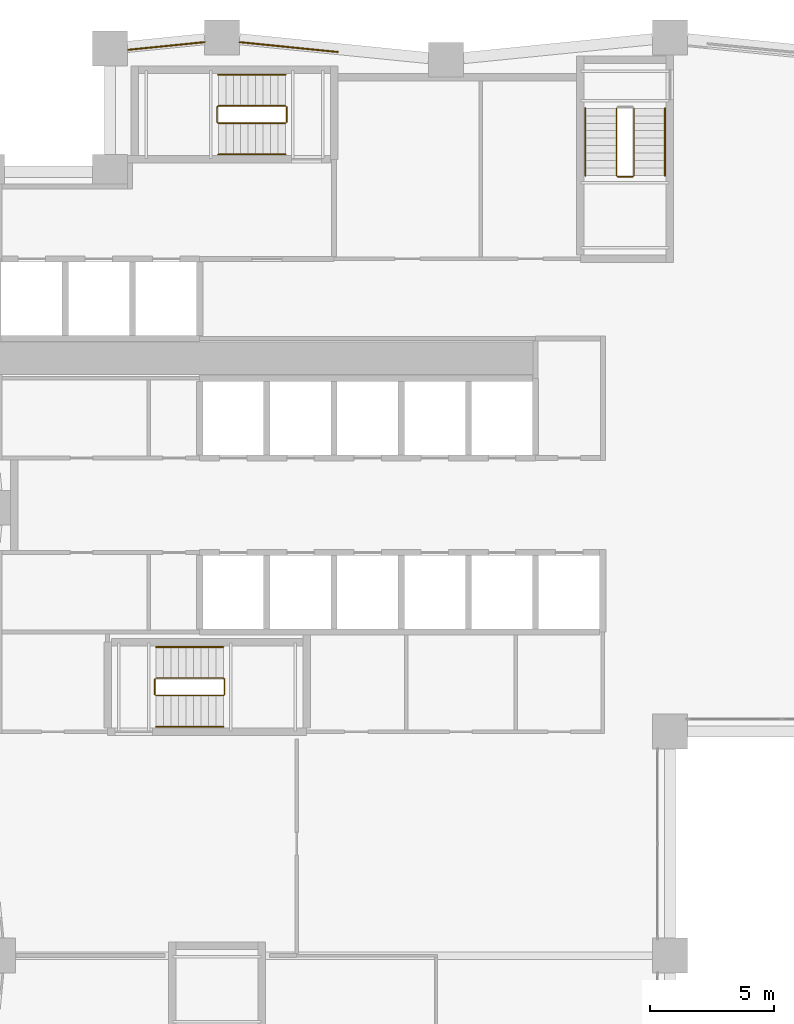
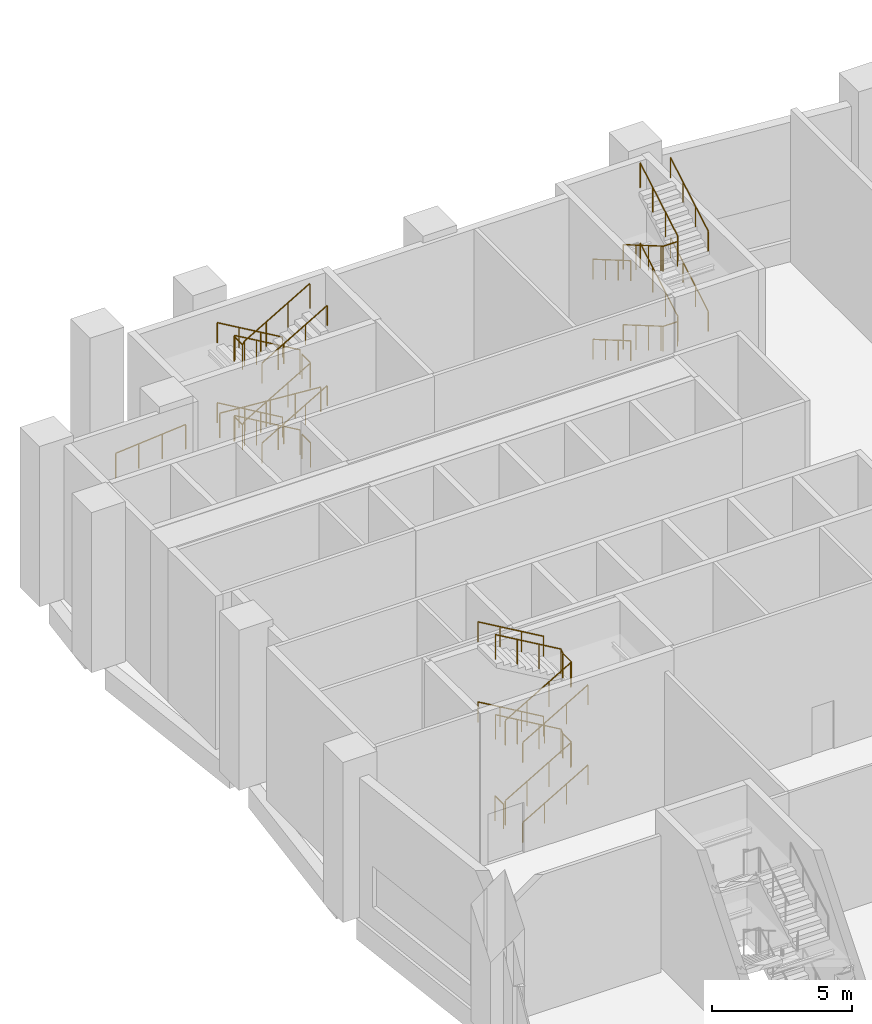
# One storey, part 17 of 18: 23 railings.
"""IFC4 building model written with IfcOpenShell, lengths in metres."""

from ifc_helpers import new_model, si_unit, direction, frame, origin, origin_2d, place, context, subcontext, project, spatial, circle, extrude, material, type_object, element, save


model = new_model("IFC4")

# Units and contexts
model_context = context("Model", 3, precision=1e-05, world=origin(), true_north=direction((0.0, 1.0)))
body_context = subcontext(model_context, "Body", "Model", "MODEL_VIEW")
ifc_project = project(units=[si_unit("LENGTHUNIT", "METRE"), si_unit("AREAUNIT", "SQUARE_METRE"), si_unit("VOLUMEUNIT", "CUBIC_METRE"), si_unit("PLANEANGLEUNIT", "RADIAN"), si_unit("MASSUNIT", "GRAM", prefix="KILO")], contexts=[model_context])

# Site, building, storey
site_placement = place(None, origin())
site = spatial("IfcSite", under=ifc_project, at=site_placement, CompositionType="ELEMENT")
building_placement = place(site_placement, origin())
building = spatial("IfcBuilding", under=site, at=building_placement, Name="Brondeck Convention Tower", CompositionType="ELEMENT")
storey_placement = place(building_placement, frame((0.0, 0.0, 7.5)))
storey = spatial("IfcBuildingStorey", under=building, at=storey_placement, Name="L01", CompositionType="ELEMENT", Elevation=7.5)

# Railings
ifc_material_1 = material(Name="Steel S355, bronze painted", Category="steel")
railing_type_1 = type_object("IfcRailingType", Name="Guard, bronze steel rail and posts", PredefinedType="GUARDRAIL", material=ifc_material_1)
railing_1_placement = place(storey_placement, frame((5.228515625, 63.402099609375, 0.0)))
element("IfcRailing", 1, at=railing_1_placement, inside=storey, type_object=railing_type_1, Name="ENV-RL-L01-REAR1", PredefinedType="GUARDRAIL", context=body_context, shape_type="SweptSolid", body=[
    extrude(circle(Radius=0.02490234375, at=origin_2d()), frame((0.0, 0.0, 1.0751953125), z_axis=(0.995030914205, 0.099566459095, 0.0), x_axis=(-0.099566459095, 0.995030914205, 0.0)), (0.0, 0.0, 1.0), 3.082275390625),
    extrude(circle(Radius=0.02490234375, at=origin_2d()), origin(), (0.0, 0.0, 1.0), 1.050048828125),
    extrude(circle(Radius=0.02490234375, at=origin_2d()), frame((1.022216796875, 0.102294921875, 0.0)), (0.0, 0.0, 1.0), 1.050048828125),
    extrude(circle(Radius=0.02490234375, at=origin_2d()), frame((2.044677734375, 0.20458984375, 0.0)), (0.0, 0.0, 1.0), 1.050048828125),
    extrude(circle(Radius=0.02490234375, at=origin_2d()), frame((3.06689453125, 0.306884765625, 0.0)), (0.0, 0.0, 1.0), 1.050048828125),
])
railing_2_placement = place(storey_placement, frame((9.70458984375, 63.708984375, 0.0)))
element("IfcRailing", 2, at=railing_2_placement, inside=storey, type_object=railing_type_1, Name="ENV-RL-L01-REAR2", PredefinedType="GUARDRAIL", context=body_context, shape_type="SweptSolid", body=[
    extrude(circle(Radius=0.02490234375, at=origin_2d()), frame((0.0, 0.0, 1.0751953125), z_axis=(0.99503719021, -0.099503719021, 0.0), x_axis=(0.099503719021, 0.99503719021, 0.0)), (0.0, 0.0, 1.0), 3.965087890625),
    extrude(circle(Radius=0.02490234375, at=origin_2d()), origin(), (0.0, 0.0, 1.0), 1.050048828125),
    extrude(circle(Radius=0.02490234375, at=origin_2d()), frame((0.986328125, -0.0986328125, 0.0)), (0.0, 0.0, 1.0), 1.050048828125),
    extrude(circle(Radius=0.02490234375, at=origin_2d()), frame((1.97265625, -0.197265625, 0.0)), (0.0, 0.0, 1.0), 1.050048828125),
    extrude(circle(Radius=0.02490234375, at=origin_2d()), frame((2.958984375, -0.2958984375, 0.0)), (0.0, 0.0, 1.0), 1.050048828125),
    extrude(circle(Radius=0.02490234375, at=origin_2d()), frame((3.9453125, -0.39453125, 0.0)), (0.0, 0.0, 1.0), 1.050048828125),
])
ifc_material_2 = material(Name="Steel S355", Category="steel")
railing_type_2 = type_object("IfcRailingType", Name="Stair guard 1100", PredefinedType="GUARDRAIL", material=ifc_material_2)
railing_3_placement = place(storey_placement, frame((6.35009765625, 37.449951171875, 0.175048828125)))
element("IfcRailing", 3, at=railing_3_placement, inside=storey, type_object=railing_type_2, Name="L01 ST-1 stair guard 1", PredefinedType="GUARDRAIL", context=body_context, shape_type="SweptSolid", body=[
    extrude(circle(Radius=0.02392578125, at=origin_2d()), frame((0.0, 0.0, 1.076171875), z_axis=(0.863781733769, 0.0, 0.503866169142), x_axis=(0.0, 1.0, 0.0)), (0.0, 0.0, 1.0), 3.125732421875),
    extrude(circle(Radius=0.02392578125, at=origin_2d()), frame((2.699951171875, 0.0, 2.65087890625), z_axis=(0.707106781187, 0.707106781187, 0.0), x_axis=(-0.707106781187, 0.707106781187, 0.0)), (0.0, 0.0, 1.0), 0.07080078125),
    extrude(circle(Radius=0.02392578125, at=origin_2d()), frame((2.75, 0.050048828125, 2.65087890625), z_axis=(0.0, 1.0, 0.0), x_axis=(-1.0, 0.0, 0.0)), (0.0, 0.0, 1.0), 0.60009765625),
    extrude(circle(Radius=0.02392578125, at=origin_2d()), frame((2.75, 0.650146484375, 2.65087890625), z_axis=(-0.265155923931, 0.263862480399, 0.927399011991), x_axis=(-0.705375805398, -0.708833529934, 0.0)), (0.0, 0.0, 1.0), 0.188720703125),
    extrude(circle(Radius=0.02392578125, at=origin_2d()), frame((2.699951171875, 0.699951171875, 2.826171875), z_axis=(-0.863781733769, 0.0, 0.503866169142), x_axis=(0.0, -1.0, 0.0)), (0.0, 0.0, 1.0), 3.125732421875),
    extrude(circle(Radius=0.02099609375, at=origin_2d()), origin(), (0.0, 0.0, 1.0), 1.052001953125),
    extrude(circle(Radius=0.02099609375, at=origin_2d()), frame((0.89990234375, 0.0, 0.52490234375)), (0.0, 0.0, 1.0), 1.052001953125),
    extrude(circle(Radius=0.02099609375, at=origin_2d()), frame((1.800048828125, 0.0, 1.050048828125)), (0.0, 0.0, 1.0), 1.052001953125),
    extrude(circle(Radius=0.02099609375, at=origin_2d()), frame((2.699951171875, 0.0, 1.574951171875)), (0.0, 0.0, 1.0), 1.052001953125),
    extrude(circle(Radius=0.02099609375, at=origin_2d()), frame((2.75, 0.050048828125, 1.574951171875)), (0.0, 0.0, 1.0), 1.052001953125),
    extrude(circle(Radius=0.02099609375, at=origin_2d()), frame((2.75, 0.650146484375, 1.574951171875)), (0.0, 0.0, 1.0), 1.052001953125),
    extrude(circle(Radius=0.02099609375, at=origin_2d()), frame((2.699951171875, 0.699951171875, 1.75)), (0.0, 0.0, 1.0), 1.052001953125),
    extrude(circle(Radius=0.02099609375, at=origin_2d()), frame((1.800048828125, 0.699951171875, 2.27490234375)), (0.0, 0.0, 1.0), 1.052001953125),
    extrude(circle(Radius=0.02099609375, at=origin_2d()), frame((0.89990234375, 0.699951171875, 2.800048828125)), (0.0, 0.0, 1.0), 1.052001953125),
    extrude(circle(Radius=0.02099609375, at=origin_2d()), frame((0.0, 0.699951171875, 3.324951171875)), (0.0, 0.0, 1.0), 1.052001953125),
])
railing_4_placement = place(storey_placement, frame((6.35009765625, 37.449951171875, 3.675048828125)))
element("IfcRailing", 4, at=railing_4_placement, inside=storey, type_object=railing_type_2, Name="L01 ST-1 stair guard 3", PredefinedType="GUARDRAIL", context=body_context, shape_type="SweptSolid", body=[
    extrude(circle(Radius=0.02392578125, at=origin_2d()), frame((0.0, 0.0, 1.076171875), z_axis=(0.863781733769, 0.0, 0.503866169142), x_axis=(0.0, 1.0, 0.0)), (0.0, 0.0, 1.0), 3.125732421875),
    extrude(circle(Radius=0.02392578125, at=origin_2d()), frame((2.699951171875, 0.0, 2.65087890625), z_axis=(0.707106781187, 0.707106781187, 0.0), x_axis=(-0.707106781187, 0.707106781187, 0.0)), (0.0, 0.0, 1.0), 0.07080078125),
    extrude(circle(Radius=0.02392578125, at=origin_2d()), frame((2.75, 0.050048828125, 2.65087890625), z_axis=(0.0, 1.0, 0.0), x_axis=(-1.0, 0.0, 0.0)), (0.0, 0.0, 1.0), 0.60009765625),
    extrude(circle(Radius=0.02392578125, at=origin_2d()), frame((2.75, 0.650146484375, 2.65087890625), z_axis=(-0.265155923931, 0.263862480399, 0.927399011991), x_axis=(-0.705375805398, -0.708833529934, 0.0)), (0.0, 0.0, 1.0), 0.188720703125),
    extrude(circle(Radius=0.02392578125, at=origin_2d()), frame((2.699951171875, 0.699951171875, 2.826171875), z_axis=(-0.863781733769, 0.0, 0.503866169142), x_axis=(0.0, -1.0, 0.0)), (0.0, 0.0, 1.0), 3.125732421875),
    extrude(circle(Radius=0.02099609375, at=origin_2d()), origin(), (0.0, 0.0, 1.0), 1.052001953125),
    extrude(circle(Radius=0.02099609375, at=origin_2d()), frame((0.89990234375, 0.0, 0.52490234375)), (0.0, 0.0, 1.0), 1.052001953125),
    extrude(circle(Radius=0.02099609375, at=origin_2d()), frame((1.800048828125, 0.0, 1.050048828125)), (0.0, 0.0, 1.0), 1.052001953125),
    extrude(circle(Radius=0.02099609375, at=origin_2d()), frame((2.699951171875, 0.0, 1.574951171875)), (0.0, 0.0, 1.0), 1.052001953125),
    extrude(circle(Radius=0.02099609375, at=origin_2d()), frame((2.75, 0.050048828125, 1.574951171875)), (0.0, 0.0, 1.0), 1.052001953125),
    extrude(circle(Radius=0.02099609375, at=origin_2d()), frame((2.75, 0.650146484375, 1.574951171875)), (0.0, 0.0, 1.0), 1.052001953125),
    extrude(circle(Radius=0.02099609375, at=origin_2d()), frame((2.699951171875, 0.699951171875, 1.75)), (0.0, 0.0, 1.0), 1.052001953125),
    extrude(circle(Radius=0.02099609375, at=origin_2d()), frame((1.800048828125, 0.699951171875, 2.27490234375)), (0.0, 0.0, 1.0), 1.052001953125),
    extrude(circle(Radius=0.02099609375, at=origin_2d()), frame((0.89990234375, 0.699951171875, 2.800048828125)), (0.0, 0.0, 1.0), 1.052001953125),
    extrude(circle(Radius=0.02099609375, at=origin_2d()), frame((0.0, 0.699951171875, 3.324951171875)), (0.0, 0.0, 1.0), 1.052001953125),
])
railing_5_placement = place(storey_placement, frame((6.300048828125, 37.5, 0.0)))
element("IfcRailing", 5, at=railing_5_placement, inside=storey, type_object=railing_type_2, Name="L01 ST-1 stair guard 4", PredefinedType="GUARDRAIL", context=body_context, shape_type="SweptSolid", body=[
    extrude(circle(Radius=0.02392578125, at=origin_2d()), frame((0.0, 0.0, 1.076171875), z_axis=(0.0, 1.0, 0.0), x_axis=(-1.0, 0.0, 0.0)), (0.0, 0.0, 1.0), 0.60009765625),
    extrude(circle(Radius=0.02099609375, at=origin_2d()), origin(), (0.0, 0.0, 1.0), 1.052001953125),
    extrude(circle(Radius=0.02099609375, at=origin_2d()), frame((0.0, 0.60009765625, 0.0)), (0.0, 0.0, 1.0), 1.052001953125),
])
railing_6_placement = place(storey_placement, frame((24.85009765625, 61.050048828125, 0.175048828125)))
element("IfcRailing", 6, at=railing_6_placement, inside=storey, type_object=railing_type_2, Name="L01 ST-2 stair guard 1", PredefinedType="GUARDRAIL", context=body_context, shape_type="SweptSolid", body=[
    extrude(circle(Radius=0.02392578125, at=origin_2d()), frame((0.0, 0.0, 1.076171875), z_axis=(0.0, -0.863781733769, 0.503866169142), x_axis=(1.0, 0.0, 0.0)), (0.0, 0.0, 1.0), 3.125732421875),
    extrude(circle(Radius=0.02392578125, at=origin_2d()), frame((0.0, -2.699951171875, 2.65087890625), z_axis=(0.705375805398, -0.708833529934, 0.0), x_axis=(0.708833529934, 0.705375805398, 0.0)), (0.0, 0.0, 1.0), 0.070556640625),
    extrude(circle(Radius=0.02392578125, at=origin_2d()), frame((0.0498046875, -2.75, 2.65087890625), z_axis=(1.0, 0.0, 0.0), x_axis=(0.0, 1.0, 0.0)), (0.0, 0.0, 1.0), 0.60009765625),
    extrude(circle(Radius=0.02392578125, at=origin_2d()), frame((0.64990234375, -2.75, 2.65087890625), z_axis=(0.265065253269, 0.265065253269, 0.927081885822), x_axis=(-0.707106781187, 0.707106781187, 0.0)), (0.0, 0.0, 1.0), 0.188720703125),
    extrude(circle(Radius=0.02392578125, at=origin_2d()), frame((0.699951171875, -2.699951171875, 2.826171875), z_axis=(0.0, 0.863781733769, 0.503866169142), x_axis=(-1.0, 0.0, 0.0)), (0.0, 0.0, 1.0), 3.125732421875),
    extrude(circle(Radius=0.02099609375, at=origin_2d()), origin(), (0.0, 0.0, 1.0), 1.052001953125),
    extrude(circle(Radius=0.02099609375, at=origin_2d()), frame((0.0, -0.89990234375, 0.52490234375)), (0.0, 0.0, 1.0), 1.052001953125),
    extrude(circle(Radius=0.02099609375, at=origin_2d()), frame((0.0, -1.800048828125, 1.050048828125)), (0.0, 0.0, 1.0), 1.052001953125),
    extrude(circle(Radius=0.02099609375, at=origin_2d()), frame((0.0, -2.699951171875, 1.574951171875)), (0.0, 0.0, 1.0), 1.052001953125),
    extrude(circle(Radius=0.02099609375, at=origin_2d()), frame((0.0498046875, -2.75, 1.574951171875)), (0.0, 0.0, 1.0), 1.052001953125),
    extrude(circle(Radius=0.02099609375, at=origin_2d()), frame((0.64990234375, -2.75, 1.574951171875)), (0.0, 0.0, 1.0), 1.052001953125),
    extrude(circle(Radius=0.02099609375, at=origin_2d()), frame((0.699951171875, -2.699951171875, 1.75)), (0.0, 0.0, 1.0), 1.052001953125),
    extrude(circle(Radius=0.02099609375, at=origin_2d()), frame((0.699951171875, -1.800048828125, 2.27490234375)), (0.0, 0.0, 1.0), 1.052001953125),
    extrude(circle(Radius=0.02099609375, at=origin_2d()), frame((0.699951171875, -0.89990234375, 2.800048828125)), (0.0, 0.0, 1.0), 1.052001953125),
    extrude(circle(Radius=0.02099609375, at=origin_2d()), frame((0.699951171875, 0.0, 3.324951171875)), (0.0, 0.0, 1.0), 1.052001953125),
])
railing_7_placement = place(storey_placement, frame((24.85009765625, 61.050048828125, 3.675048828125)))
element("IfcRailing", 7, at=railing_7_placement, inside=storey, type_object=railing_type_2, Name="L01 ST-2 stair guard 3", PredefinedType="GUARDRAIL", context=body_context, shape_type="SweptSolid", body=[
    extrude(circle(Radius=0.02392578125, at=origin_2d()), frame((0.0, 0.0, 1.076171875), z_axis=(0.0, -0.863781733769, 0.503866169142), x_axis=(1.0, 0.0, 0.0)), (0.0, 0.0, 1.0), 3.125732421875),
    extrude(circle(Radius=0.02392578125, at=origin_2d()), frame((0.0, -2.699951171875, 2.65087890625), z_axis=(0.705375805398, -0.708833529934, 0.0), x_axis=(0.708833529934, 0.705375805398, 0.0)), (0.0, 0.0, 1.0), 0.070556640625),
    extrude(circle(Radius=0.02392578125, at=origin_2d()), frame((0.0498046875, -2.75, 2.65087890625), z_axis=(1.0, 0.0, 0.0), x_axis=(0.0, 1.0, 0.0)), (0.0, 0.0, 1.0), 0.60009765625),
    extrude(circle(Radius=0.02392578125, at=origin_2d()), frame((0.64990234375, -2.75, 2.65087890625), z_axis=(0.265065253269, 0.265065253269, 0.927081885822), x_axis=(-0.707106781187, 0.707106781187, 0.0)), (0.0, 0.0, 1.0), 0.188720703125),
    extrude(circle(Radius=0.02392578125, at=origin_2d()), frame((0.699951171875, -2.699951171875, 2.826171875), z_axis=(0.0, 0.863781733769, 0.503866169142), x_axis=(-1.0, 0.0, 0.0)), (0.0, 0.0, 1.0), 3.125732421875),
    extrude(circle(Radius=0.02099609375, at=origin_2d()), origin(), (0.0, 0.0, 1.0), 1.052001953125),
    extrude(circle(Radius=0.02099609375, at=origin_2d()), frame((0.0, -0.89990234375, 0.52490234375)), (0.0, 0.0, 1.0), 1.052001953125),
    extrude(circle(Radius=0.02099609375, at=origin_2d()), frame((0.0, -1.800048828125, 1.050048828125)), (0.0, 0.0, 1.0), 1.052001953125),
    extrude(circle(Radius=0.02099609375, at=origin_2d()), frame((0.0, -2.699951171875, 1.574951171875)), (0.0, 0.0, 1.0), 1.052001953125),
    extrude(circle(Radius=0.02099609375, at=origin_2d()), frame((0.0498046875, -2.75, 1.574951171875)), (0.0, 0.0, 1.0), 1.052001953125),
    extrude(circle(Radius=0.02099609375, at=origin_2d()), frame((0.64990234375, -2.75, 1.574951171875)), (0.0, 0.0, 1.0), 1.052001953125),
    extrude(circle(Radius=0.02099609375, at=origin_2d()), frame((0.699951171875, -2.699951171875, 1.75)), (0.0, 0.0, 1.0), 1.052001953125),
    extrude(circle(Radius=0.02099609375, at=origin_2d()), frame((0.699951171875, -1.800048828125, 2.27490234375)), (0.0, 0.0, 1.0), 1.052001953125),
    extrude(circle(Radius=0.02099609375, at=origin_2d()), frame((0.699951171875, -0.89990234375, 2.800048828125)), (0.0, 0.0, 1.0), 1.052001953125),
    extrude(circle(Radius=0.02099609375, at=origin_2d()), frame((0.699951171875, 0.0, 3.324951171875)), (0.0, 0.0, 1.0), 1.052001953125),
])
railing_8_placement = place(storey_placement, frame((11.550048828125, 61.14990234375, 0.175048828125)))
element("IfcRailing", 8, at=railing_8_placement, inside=storey, type_object=railing_type_2, Name="L01 ST-3 stair guard 1", PredefinedType="GUARDRAIL", context=body_context, shape_type="SweptSolid", body=[
    extrude(circle(Radius=0.02392578125, at=origin_2d()), frame((0.0, 0.0, 1.076171875), z_axis=(-0.863781733769, 0.0, 0.503866169142), x_axis=(0.0, -1.0, 0.0)), (0.0, 0.0, 1.0), 3.125732421875),
    extrude(circle(Radius=0.02392578125, at=origin_2d()), frame((-2.699951171875, 0.0, 2.65087890625), z_axis=(-0.708833529934, -0.705375805398, 0.0), x_axis=(0.705375805398, -0.708833529934, 0.0)), (0.0, 0.0, 1.0), 0.070556640625),
    extrude(circle(Radius=0.02392578125, at=origin_2d()), frame((-2.75, -0.0498046875, 2.65087890625), z_axis=(0.0, -1.0, 0.0), x_axis=(1.0, 0.0, 0.0)), (0.0, 0.0, 1.0), 0.60009765625),
    extrude(circle(Radius=0.02392578125, at=origin_2d()), frame((-2.75, -0.64990234375, 2.65087890625), z_axis=(0.265065253269, -0.265065253269, 0.927081885822), x_axis=(0.707106781187, 0.707106781187, 0.0)), (0.0, 0.0, 1.0), 0.188720703125),
    extrude(circle(Radius=0.02392578125, at=origin_2d()), frame((-2.699951171875, -0.699951171875, 2.826171875), z_axis=(0.863781733769, 0.0, 0.503866169142), x_axis=(0.0, 1.0, 0.0)), (0.0, 0.0, 1.0), 3.125732421875),
    extrude(circle(Radius=0.02099609375, at=origin_2d()), origin(), (0.0, 0.0, 1.0), 1.052001953125),
    extrude(circle(Radius=0.02099609375, at=origin_2d()), frame((-0.89990234375, 0.0, 0.52490234375)), (0.0, 0.0, 1.0), 1.052001953125),
    extrude(circle(Radius=0.02099609375, at=origin_2d()), frame((-1.800048828125, 0.0, 1.050048828125)), (0.0, 0.0, 1.0), 1.052001953125),
    extrude(circle(Radius=0.02099609375, at=origin_2d()), frame((-2.699951171875, 0.0, 1.574951171875)), (0.0, 0.0, 1.0), 1.052001953125),
    extrude(circle(Radius=0.02099609375, at=origin_2d()), frame((-2.75, -0.0498046875, 1.574951171875)), (0.0, 0.0, 1.0), 1.052001953125),
    extrude(circle(Radius=0.02099609375, at=origin_2d()), frame((-2.75, -0.64990234375, 1.574951171875)), (0.0, 0.0, 1.0), 1.052001953125),
    extrude(circle(Radius=0.02099609375, at=origin_2d()), frame((-2.699951171875, -0.699951171875, 1.75)), (0.0, 0.0, 1.0), 1.052001953125),
    extrude(circle(Radius=0.02099609375, at=origin_2d()), frame((-1.800048828125, -0.699951171875, 2.27490234375)), (0.0, 0.0, 1.0), 1.052001953125),
    extrude(circle(Radius=0.02099609375, at=origin_2d()), frame((-0.89990234375, -0.699951171875, 2.800048828125)), (0.0, 0.0, 1.0), 1.052001953125),
    extrude(circle(Radius=0.02099609375, at=origin_2d()), frame((0.0, -0.699951171875, 3.324951171875)), (0.0, 0.0, 1.0), 1.052001953125),
])
railing_9_placement = place(storey_placement, frame((11.60009765625, 61.10009765625, 3.5)))
element("IfcRailing", 9, at=railing_9_placement, inside=storey, type_object=railing_type_2, Name="L01 ST-3 stair guard 2", PredefinedType="GUARDRAIL", context=body_context, shape_type="SweptSolid", body=[
    extrude(circle(Radius=0.02392578125, at=origin_2d()), frame((0.0, 0.0, 1.076171875), z_axis=(0.0, -1.0, 0.0), x_axis=(1.0, 0.0, 0.0)), (0.0, 0.0, 1.0), 0.60009765625),
    extrude(circle(Radius=0.02099609375, at=origin_2d()), origin(), (0.0, 0.0, 1.0), 1.052001953125),
    extrude(circle(Radius=0.02099609375, at=origin_2d()), frame((0.0, -0.60009765625, 0.0)), (0.0, 0.0, 1.0), 1.052001953125),
])
railing_10_placement = place(storey_placement, frame((11.550048828125, 61.14990234375, 3.675048828125)))
element("IfcRailing", 10, at=railing_10_placement, inside=storey, type_object=railing_type_2, Name="L01 ST-3 stair guard 3", PredefinedType="GUARDRAIL", context=body_context, shape_type="SweptSolid", body=[
    extrude(circle(Radius=0.02392578125, at=origin_2d()), frame((0.0, 0.0, 1.076171875), z_axis=(-0.863781733769, 0.0, 0.503866169142), x_axis=(0.0, -1.0, 0.0)), (0.0, 0.0, 1.0), 3.125732421875),
    extrude(circle(Radius=0.02392578125, at=origin_2d()), frame((-2.699951171875, 0.0, 2.65087890625), z_axis=(-0.708833529934, -0.705375805398, 0.0), x_axis=(0.705375805398, -0.708833529934, 0.0)), (0.0, 0.0, 1.0), 0.070556640625),
    extrude(circle(Radius=0.02392578125, at=origin_2d()), frame((-2.75, -0.0498046875, 2.65087890625), z_axis=(0.0, -1.0, 0.0), x_axis=(1.0, 0.0, 0.0)), (0.0, 0.0, 1.0), 0.60009765625),
    extrude(circle(Radius=0.02392578125, at=origin_2d()), frame((-2.75, -0.64990234375, 2.65087890625), z_axis=(0.265065253269, -0.265065253269, 0.927081885822), x_axis=(0.707106781187, 0.707106781187, 0.0)), (0.0, 0.0, 1.0), 0.188720703125),
    extrude(circle(Radius=0.02392578125, at=origin_2d()), frame((-2.699951171875, -0.699951171875, 2.826171875), z_axis=(0.863781733769, 0.0, 0.503866169142), x_axis=(0.0, 1.0, 0.0)), (0.0, 0.0, 1.0), 3.125732421875),
    extrude(circle(Radius=0.02099609375, at=origin_2d()), origin(), (0.0, 0.0, 1.0), 1.052001953125),
    extrude(circle(Radius=0.02099609375, at=origin_2d()), frame((-0.89990234375, 0.0, 0.52490234375)), (0.0, 0.0, 1.0), 1.052001953125),
    extrude(circle(Radius=0.02099609375, at=origin_2d()), frame((-1.800048828125, 0.0, 1.050048828125)), (0.0, 0.0, 1.0), 1.052001953125),
    extrude(circle(Radius=0.02099609375, at=origin_2d()), frame((-2.699951171875, 0.0, 1.574951171875)), (0.0, 0.0, 1.0), 1.052001953125),
    extrude(circle(Radius=0.02099609375, at=origin_2d()), frame((-2.75, -0.0498046875, 1.574951171875)), (0.0, 0.0, 1.0), 1.052001953125),
    extrude(circle(Radius=0.02099609375, at=origin_2d()), frame((-2.75, -0.64990234375, 1.574951171875)), (0.0, 0.0, 1.0), 1.052001953125),
    extrude(circle(Radius=0.02099609375, at=origin_2d()), frame((-2.699951171875, -0.699951171875, 1.75)), (0.0, 0.0, 1.0), 1.052001953125),
    extrude(circle(Radius=0.02099609375, at=origin_2d()), frame((-1.800048828125, -0.699951171875, 2.27490234375)), (0.0, 0.0, 1.0), 1.052001953125),
    extrude(circle(Radius=0.02099609375, at=origin_2d()), frame((-0.89990234375, -0.699951171875, 2.800048828125)), (0.0, 0.0, 1.0), 1.052001953125),
    extrude(circle(Radius=0.02099609375, at=origin_2d()), frame((0.0, -0.699951171875, 3.324951171875)), (0.0, 0.0, 1.0), 1.052001953125),
])
railing_11_placement = place(storey_placement, frame((11.60009765625, 61.10009765625, 0.0)))
element("IfcRailing", 11, at=railing_11_placement, inside=storey, type_object=railing_type_2, Name="L01 ST-3 stair guard 4", PredefinedType="GUARDRAIL", context=body_context, shape_type="SweptSolid", body=[
    extrude(circle(Radius=0.02392578125, at=origin_2d()), frame((0.0, 0.0, 1.076171875), z_axis=(0.0, -1.0, 0.0), x_axis=(1.0, 0.0, 0.0)), (0.0, 0.0, 1.0), 0.60009765625),
    extrude(circle(Radius=0.02099609375, at=origin_2d()), origin(), (0.0, 0.0, 1.0), 1.052001953125),
    extrude(circle(Radius=0.02099609375, at=origin_2d()), frame((0.0, -0.60009765625, 0.0)), (0.0, 0.0, 1.0), 1.052001953125),
])
railing_type_3 = type_object("IfcRailingType", Name="Stair handrail", PredefinedType="HANDRAIL", material=ifc_material_2)
railing_12_placement = place(storey_placement, frame((6.35009765625, 36.199951171875, 0.175048828125)))
element("IfcRailing", 12, at=railing_12_placement, inside=storey, type_object=railing_type_3, Name="L01 ST-1 stair handrail 1", PredefinedType="HANDRAIL", context=body_context, shape_type="SweptSolid", body=[
    extrude(circle(Radius=0.02392578125, at=origin_2d()), frame((0.0, 0.0, 0.8759765625), z_axis=(0.863781733769, 0.0, 0.503866169142), x_axis=(0.0, 1.0, 0.0)), (0.0, 0.0, 1.0), 3.125732421875),
    extrude(circle(Radius=0.02099609375, at=origin_2d()), origin(), (0.0, 0.0, 1.0), 0.851806640625),
    extrude(circle(Radius=0.02099609375, at=origin_2d()), frame((0.89990234375, 0.0, 0.52490234375)), (0.0, 0.0, 1.0), 0.851806640625),
    extrude(circle(Radius=0.02099609375, at=origin_2d()), frame((1.800048828125, 0.0, 1.050048828125)), (0.0, 0.0, 1.0), 0.851806640625),
    extrude(circle(Radius=0.02099609375, at=origin_2d()), frame((2.699951171875, 0.0, 1.574951171875)), (0.0, 0.0, 1.0), 0.851806640625),
])
railing_13_placement = place(storey_placement, frame((9.050048828125, 39.39990234375, 1.925048828125)))
element("IfcRailing", 13, at=railing_13_placement, inside=storey, type_object=railing_type_3, Name="L01 ST-1 stair handrail 2", PredefinedType="HANDRAIL", context=body_context, shape_type="SweptSolid", body=[
    extrude(circle(Radius=0.02392578125, at=origin_2d()), frame((0.0, 0.0, 0.8759765625), z_axis=(-0.863781733769, 0.0, 0.503866169142), x_axis=(0.0, -1.0, 0.0)), (0.0, 0.0, 1.0), 3.125732421875),
    extrude(circle(Radius=0.02099609375, at=origin_2d()), origin(), (0.0, 0.0, 1.0), 0.851806640625),
    extrude(circle(Radius=0.02099609375, at=origin_2d()), frame((-0.89990234375, 0.0, 0.52490234375)), (0.0, 0.0, 1.0), 0.851806640625),
    extrude(circle(Radius=0.02099609375, at=origin_2d()), frame((-1.800048828125, 0.0, 1.050048828125)), (0.0, 0.0, 1.0), 0.851806640625),
    extrude(circle(Radius=0.02099609375, at=origin_2d()), frame((-2.699951171875, 0.0, 1.574951171875)), (0.0, 0.0, 1.0), 0.851806640625),
])
railing_14_placement = place(storey_placement, frame((6.35009765625, 36.199951171875, 3.675048828125)))
element("IfcRailing", 14, at=railing_14_placement, inside=storey, type_object=railing_type_3, Name="L01 ST-1 stair handrail 3", PredefinedType="HANDRAIL", context=body_context, shape_type="SweptSolid", body=[
    extrude(circle(Radius=0.02392578125, at=origin_2d()), frame((0.0, 0.0, 0.8759765625), z_axis=(0.863781733769, 0.0, 0.503866169142), x_axis=(0.0, 1.0, 0.0)), (0.0, 0.0, 1.0), 3.125732421875),
    extrude(circle(Radius=0.02099609375, at=origin_2d()), origin(), (0.0, 0.0, 1.0), 0.851806640625),
    extrude(circle(Radius=0.02099609375, at=origin_2d()), frame((0.89990234375, 0.0, 0.52490234375)), (0.0, 0.0, 1.0), 0.851806640625),
    extrude(circle(Radius=0.02099609375, at=origin_2d()), frame((1.800048828125, 0.0, 1.050048828125)), (0.0, 0.0, 1.0), 0.851806640625),
    extrude(circle(Radius=0.02099609375, at=origin_2d()), frame((2.699951171875, 0.0, 1.574951171875)), (0.0, 0.0, 1.0), 0.851806640625),
])
railing_15_placement = place(storey_placement, frame((9.050048828125, 39.39990234375, 5.425048828125)))
element("IfcRailing", 15, at=railing_15_placement, inside=storey, type_object=railing_type_3, Name="L01 ST-1 stair handrail 4", PredefinedType="HANDRAIL", context=body_context, shape_type="SweptSolid", body=[
    extrude(circle(Radius=0.02392578125, at=origin_2d()), frame((0.0, 0.0, 0.8759765625), z_axis=(-0.863781733769, 0.0, 0.503866169142), x_axis=(0.0, -1.0, 0.0)), (0.0, 0.0, 1.0), 3.125732421875),
    extrude(circle(Radius=0.02099609375, at=origin_2d()), origin(), (0.0, 0.0, 1.0), 0.851806640625),
    extrude(circle(Radius=0.02099609375, at=origin_2d()), frame((-0.89990234375, 0.0, 0.52490234375)), (0.0, 0.0, 1.0), 0.851806640625),
    extrude(circle(Radius=0.02099609375, at=origin_2d()), frame((-1.800048828125, 0.0, 1.050048828125)), (0.0, 0.0, 1.0), 0.851806640625),
    extrude(circle(Radius=0.02099609375, at=origin_2d()), frame((-2.699951171875, 0.0, 1.574951171875)), (0.0, 0.0, 1.0), 0.851806640625),
])
railing_16_placement = place(storey_placement, frame((23.60009765625, 61.050048828125, 0.175048828125)))
element("IfcRailing", 16, at=railing_16_placement, inside=storey, type_object=railing_type_3, Name="L01 ST-2 stair handrail 1", PredefinedType="HANDRAIL", context=body_context, shape_type="SweptSolid", body=[
    extrude(circle(Radius=0.02392578125, at=origin_2d()), frame((0.0, 0.0, 0.8759765625), z_axis=(0.0, -0.863781733769, 0.503866169142), x_axis=(1.0, 0.0, 0.0)), (0.0, 0.0, 1.0), 3.125732421875),
    extrude(circle(Radius=0.02099609375, at=origin_2d()), origin(), (0.0, 0.0, 1.0), 0.851806640625),
    extrude(circle(Radius=0.02099609375, at=origin_2d()), frame((0.0, -0.89990234375, 0.52490234375)), (0.0, 0.0, 1.0), 0.851806640625),
    extrude(circle(Radius=0.02099609375, at=origin_2d()), frame((0.0, -1.800048828125, 1.050048828125)), (0.0, 0.0, 1.0), 0.851806640625),
    extrude(circle(Radius=0.02099609375, at=origin_2d()), frame((0.0, -2.699951171875, 1.574951171875)), (0.0, 0.0, 1.0), 0.851806640625),
])
railing_17_placement = place(storey_placement, frame((26.800048828125, 58.35009765625, 1.925048828125)))
element("IfcRailing", 17, at=railing_17_placement, inside=storey, type_object=railing_type_3, Name="L01 ST-2 stair handrail 2", PredefinedType="HANDRAIL", context=body_context, shape_type="SweptSolid", body=[
    extrude(circle(Radius=0.02392578125, at=origin_2d()), frame((0.0, 0.0, 0.8759765625), z_axis=(0.0, 0.863781733769, 0.503866169142), x_axis=(-1.0, 0.0, 0.0)), (0.0, 0.0, 1.0), 3.125732421875),
    extrude(circle(Radius=0.02099609375, at=origin_2d()), origin(), (0.0, 0.0, 1.0), 0.851806640625),
    extrude(circle(Radius=0.02099609375, at=origin_2d()), frame((0.0, 0.89990234375, 0.52490234375)), (0.0, 0.0, 1.0), 0.851806640625),
    extrude(circle(Radius=0.02099609375, at=origin_2d()), frame((0.0, 1.800048828125, 1.050048828125)), (0.0, 0.0, 1.0), 0.851806640625),
    extrude(circle(Radius=0.02099609375, at=origin_2d()), frame((0.0, 2.699951171875, 1.574951171875)), (0.0, 0.0, 1.0), 0.851806640625),
])
railing_18_placement = place(storey_placement, frame((23.60009765625, 61.050048828125, 3.675048828125)))
element("IfcRailing", 18, at=railing_18_placement, inside=storey, type_object=railing_type_3, Name="L01 ST-2 stair handrail 3", PredefinedType="HANDRAIL", context=body_context, shape_type="SweptSolid", body=[
    extrude(circle(Radius=0.02392578125, at=origin_2d()), frame((0.0, 0.0, 0.8759765625), z_axis=(0.0, -0.863781733769, 0.503866169142), x_axis=(1.0, 0.0, 0.0)), (0.0, 0.0, 1.0), 3.125732421875),
    extrude(circle(Radius=0.02099609375, at=origin_2d()), origin(), (0.0, 0.0, 1.0), 0.851806640625),
    extrude(circle(Radius=0.02099609375, at=origin_2d()), frame((0.0, -0.89990234375, 0.52490234375)), (0.0, 0.0, 1.0), 0.851806640625),
    extrude(circle(Radius=0.02099609375, at=origin_2d()), frame((0.0, -1.800048828125, 1.050048828125)), (0.0, 0.0, 1.0), 0.851806640625),
    extrude(circle(Radius=0.02099609375, at=origin_2d()), frame((0.0, -2.699951171875, 1.574951171875)), (0.0, 0.0, 1.0), 0.851806640625),
])
railing_19_placement = place(storey_placement, frame((26.800048828125, 58.35009765625, 5.425048828125)))
element("IfcRailing", 19, at=railing_19_placement, inside=storey, type_object=railing_type_3, Name="L01 ST-2 stair handrail 4", PredefinedType="HANDRAIL", context=body_context, shape_type="SweptSolid", body=[
    extrude(circle(Radius=0.02392578125, at=origin_2d()), frame((0.0, 0.0, 0.8759765625), z_axis=(0.0, 0.863781733769, 0.503866169142), x_axis=(-1.0, 0.0, 0.0)), (0.0, 0.0, 1.0), 3.125732421875),
    extrude(circle(Radius=0.02099609375, at=origin_2d()), origin(), (0.0, 0.0, 1.0), 0.851806640625),
    extrude(circle(Radius=0.02099609375, at=origin_2d()), frame((0.0, 0.89990234375, 0.52490234375)), (0.0, 0.0, 1.0), 0.851806640625),
    extrude(circle(Radius=0.02099609375, at=origin_2d()), frame((0.0, 1.800048828125, 1.050048828125)), (0.0, 0.0, 1.0), 0.851806640625),
    extrude(circle(Radius=0.02099609375, at=origin_2d()), frame((0.0, 2.699951171875, 1.574951171875)), (0.0, 0.0, 1.0), 0.851806640625),
])
railing_20_placement = place(storey_placement, frame((11.550048828125, 62.39990234375, 0.175048828125)))
element("IfcRailing", 20, at=railing_20_placement, inside=storey, type_object=railing_type_3, Name="L01 ST-3 stair handrail 1", PredefinedType="HANDRAIL", context=body_context, shape_type="SweptSolid", body=[
    extrude(circle(Radius=0.02392578125, at=origin_2d()), frame((0.0, 0.0, 0.8759765625), z_axis=(-0.863781733769, 0.0, 0.503866169142), x_axis=(0.0, -1.0, 0.0)), (0.0, 0.0, 1.0), 3.125732421875),
    extrude(circle(Radius=0.02099609375, at=origin_2d()), origin(), (0.0, 0.0, 1.0), 0.851806640625),
    extrude(circle(Radius=0.02099609375, at=origin_2d()), frame((-0.89990234375, 0.0, 0.52490234375)), (0.0, 0.0, 1.0), 0.851806640625),
    extrude(circle(Radius=0.02099609375, at=origin_2d()), frame((-1.800048828125, 0.0, 1.050048828125)), (0.0, 0.0, 1.0), 0.851806640625),
    extrude(circle(Radius=0.02099609375, at=origin_2d()), frame((-2.699951171875, 0.0, 1.574951171875)), (0.0, 0.0, 1.0), 0.851806640625),
])
railing_21_placement = place(storey_placement, frame((8.85009765625, 59.199951171875, 1.925048828125)))
element("IfcRailing", 21, at=railing_21_placement, inside=storey, type_object=railing_type_3, Name="L01 ST-3 stair handrail 2", PredefinedType="HANDRAIL", context=body_context, shape_type="SweptSolid", body=[
    extrude(circle(Radius=0.02392578125, at=origin_2d()), frame((0.0, 0.0, 0.8759765625), z_axis=(0.863781733769, 0.0, 0.503866169142), x_axis=(0.0, 1.0, 0.0)), (0.0, 0.0, 1.0), 3.125732421875),
    extrude(circle(Radius=0.02099609375, at=origin_2d()), origin(), (0.0, 0.0, 1.0), 0.851806640625),
    extrude(circle(Radius=0.02099609375, at=origin_2d()), frame((0.89990234375, 0.0, 0.52490234375)), (0.0, 0.0, 1.0), 0.851806640625),
    extrude(circle(Radius=0.02099609375, at=origin_2d()), frame((1.800048828125, 0.0, 1.050048828125)), (0.0, 0.0, 1.0), 0.851806640625),
    extrude(circle(Radius=0.02099609375, at=origin_2d()), frame((2.699951171875, 0.0, 1.574951171875)), (0.0, 0.0, 1.0), 0.851806640625),
])
railing_22_placement = place(storey_placement, frame((11.550048828125, 62.39990234375, 3.675048828125)))
element("IfcRailing", 22, at=railing_22_placement, inside=storey, type_object=railing_type_3, Name="L01 ST-3 stair handrail 3", PredefinedType="HANDRAIL", context=body_context, shape_type="SweptSolid", body=[
    extrude(circle(Radius=0.02392578125, at=origin_2d()), frame((0.0, 0.0, 0.8759765625), z_axis=(-0.863781733769, 0.0, 0.503866169142), x_axis=(0.0, -1.0, 0.0)), (0.0, 0.0, 1.0), 3.125732421875),
    extrude(circle(Radius=0.02099609375, at=origin_2d()), origin(), (0.0, 0.0, 1.0), 0.851806640625),
    extrude(circle(Radius=0.02099609375, at=origin_2d()), frame((-0.89990234375, 0.0, 0.52490234375)), (0.0, 0.0, 1.0), 0.851806640625),
    extrude(circle(Radius=0.02099609375, at=origin_2d()), frame((-1.800048828125, 0.0, 1.050048828125)), (0.0, 0.0, 1.0), 0.851806640625),
    extrude(circle(Radius=0.02099609375, at=origin_2d()), frame((-2.699951171875, 0.0, 1.574951171875)), (0.0, 0.0, 1.0), 0.851806640625),
])
railing_23_placement = place(storey_placement, frame((8.85009765625, 59.199951171875, 5.425048828125)))
element("IfcRailing", 23, at=railing_23_placement, inside=storey, type_object=railing_type_3, Name="L01 ST-3 stair handrail 4", PredefinedType="HANDRAIL", context=body_context, shape_type="SweptSolid", body=[
    extrude(circle(Radius=0.02392578125, at=origin_2d()), frame((0.0, 0.0, 0.8759765625), z_axis=(0.863781733769, 0.0, 0.503866169142), x_axis=(0.0, 1.0, 0.0)), (0.0, 0.0, 1.0), 3.125732421875),
    extrude(circle(Radius=0.02099609375, at=origin_2d()), origin(), (0.0, 0.0, 1.0), 0.851806640625),
    extrude(circle(Radius=0.02099609375, at=origin_2d()), frame((0.89990234375, 0.0, 0.52490234375)), (0.0, 0.0, 1.0), 0.851806640625),
    extrude(circle(Radius=0.02099609375, at=origin_2d()), frame((1.800048828125, 0.0, 1.050048828125)), (0.0, 0.0, 1.0), 0.851806640625),
    extrude(circle(Radius=0.02099609375, at=origin_2d()), frame((2.699951171875, 0.0, 1.574951171875)), (0.0, 0.0, 1.0), 0.851806640625),
])

save(model, "model.ifc")
